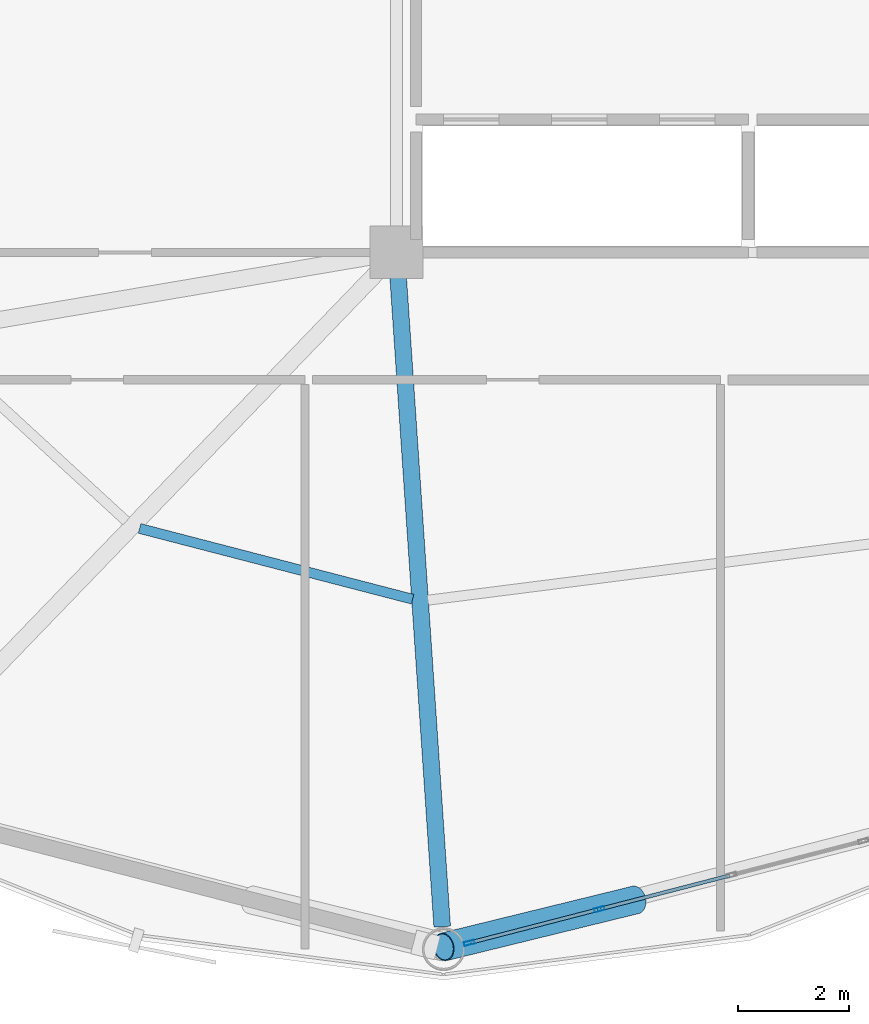
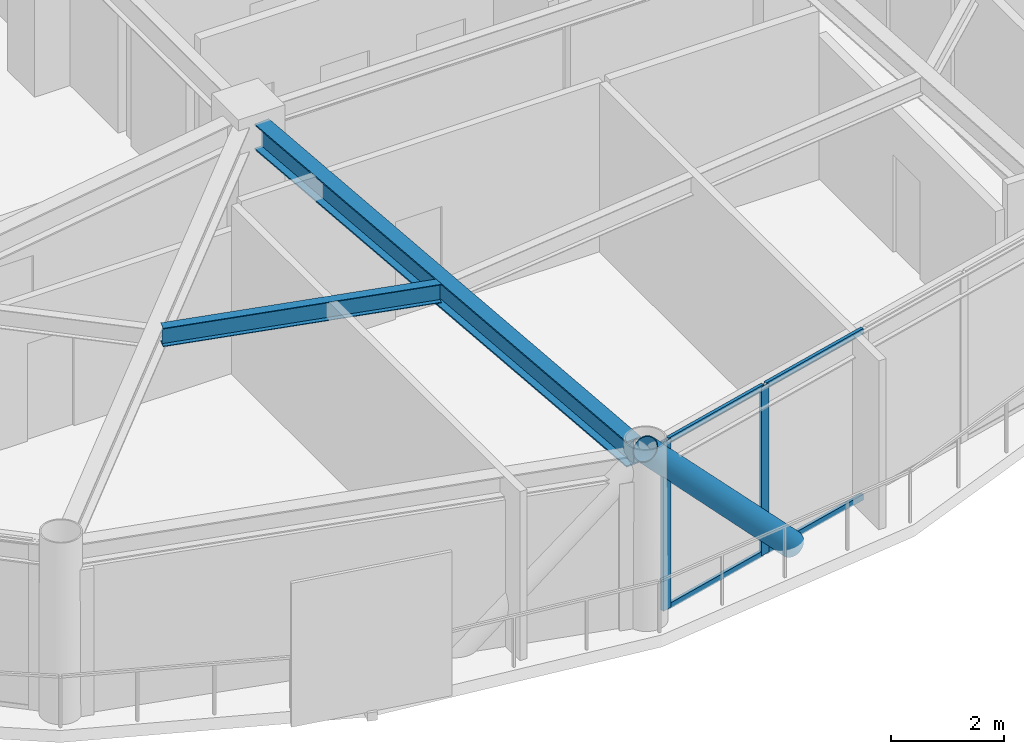
# One storey, part 7 of 27: 7 members, 2 beams, 1 element without a shape of its own.
"""IFC4 building model written with IfcOpenShell, lengths in metres."""

from ifc_helpers import new_model, si_unit, direction, frame, origin, origin_2d, place, context, subcontext, project, spatial, hollow_rectangle, hollow_circle, i_section, extrude, material, layer, layer_set, material_profile, profile_set, type_object, element, aggregate, save


model = new_model("IFC4")

# Units and contexts
model_context = context("Model", 3, precision=1e-05, world=origin(), true_north=direction((0.0, 1.0)))
body_context = subcontext(model_context, "Body", "Model", "MODEL_VIEW")
ifc_project = project(units=[si_unit("LENGTHUNIT", "METRE"), si_unit("AREAUNIT", "SQUARE_METRE"), si_unit("VOLUMEUNIT", "CUBIC_METRE"), si_unit("PLANEANGLEUNIT", "RADIAN"), si_unit("MASSUNIT", "GRAM", prefix="KILO")], contexts=[model_context])

# Site, building, storey
site_placement = place(None, origin())
site = spatial("IfcSite", under=ifc_project, at=site_placement, CompositionType="ELEMENT")
building_placement = place(site_placement, origin())
building = spatial("IfcBuilding", under=site, at=building_placement, Name="Varnakorn Sky Granary", CompositionType="ELEMENT")
storey_placement = place(building_placement, frame((0.0, 0.0, 142.199951171875)))
storey = spatial("IfcBuildingStorey", under=building, at=storey_placement, Name="L35", CompositionType="ELEMENT", Elevation=142.199951171875)

# Beams
ifc_material_1 = material(Name="Steel S355JR", Category="steel")
ifc_material_profile_1 = material_profile(ifc_material_1, i_section(OverallWidth=0.300048828125, OverallDepth=0.550048828125, WebThickness=0.014892578125, FlangeThickness=0.029052734375, at=origin_2d()), Name="HE 550 B")
ifc_profile_set_1 = profile_set([ifc_material_profile_1], Name="Steel S355JR")
beam_type_1 = type_object("IfcBeamType", Name="BM-RAD-Z3", PredefinedType="BEAM", material=ifc_profile_set_1)
beam_1_placement = place(storey_placement, frame((-2.321533203125, -7.01904296875, 3.364990234375), z_axis=(0.067633292557, -0.997710247385, 0.0), x_axis=(0.997710247385, 0.067633292557, 0.0)))
element("IfcBeam", 1, at=beam_1_placement, inside=storey, type_object=beam_type_1, Name="Radial Floor Girder RG10 L35", PredefinedType="BEAM", context=body_context, shape_type="SweptSolid", body=[
    extrude(i_section(OverallWidth=0.300048828125, OverallDepth=0.550048828125, WebThickness=0.014892578125, FlangeThickness=0.029052734375, at=origin_2d()), origin(), (0.0, 0.0, 1.0), 11.778564453125),
])
ifc_material_profile_2 = material_profile(ifc_material_1, i_section(OverallWidth=0.179931640625, OverallDepth=0.39990234375, WebThickness=0.008544921875, FlangeThickness=0.013427734375, at=origin_2d()), Name="IPE 400")
ifc_profile_set_2 = profile_set([ifc_material_profile_2], Name="Steel S355JR")
beam_type_2 = type_object("IfcBeamType", Name="BM-SEC-Z3", PredefinedType="BEAM", material=ifc_profile_set_2)
beam_2_placement = place(storey_placement, frame((-6.987060546875, -11.582275390625, 3.43994140625), z_axis=(0.968004663689, -0.250932204145, 0.0), x_axis=(0.250932204145, 0.968004663689, 0.0)))
element("IfcBeam", 2, at=beam_2_placement, inside=storey, type_object=beam_type_2, Name="Secondary Floor Chord Beam MSB09 L35", PredefinedType="BEAM", context=body_context, shape_type="SweptSolid", body=[
    extrude(i_section(OverallWidth=0.179931640625, OverallDepth=0.39990234375, WebThickness=0.008544921875, FlangeThickness=0.013427734375, at=origin_2d()), origin(), (0.0, 0.0, 1.0), 5.09130859375),
])

# Curtain wall, members
ifc_material_2 = material(Name="Anodised Bronze Aluminium Alloy 6063-T6", Category="aluminium")
ifc_layer = layer(ifc_material_2, 0.179931640625, Name="Anodised Bronze Aluminium Alloy 6063-T6")
ifc_layer_set = layer_set([ifc_layer], Name="Anodised Bronze Aluminium Alloy 6063-T6")
curtain_wall_type = type_object("IfcCurtainWallType", Name="CW-FRM-2", PredefinedType="USERDEFINED", material=ifc_layer_set)
curtain_wall_placement = place(storey_placement, origin())
curtain_wall = element("IfcCurtainWall", 3, at=curtain_wall_placement, inside=storey, type_object=curtain_wall_type, Name="Unitised Curtain Wall CW4 CW-L35-B10", ObjectType="CURTAIN WALL", PredefinedType="USERDEFINED")
ifc_material_profile_3 = material_profile(ifc_material_2, hollow_rectangle(XDim=0.070068359375, YDim=0.18505859375, WallThickness=0.00390625, at=origin_2d()), Name="ALU MULL 70x185")
ifc_profile_set_3 = profile_set([ifc_material_profile_3], Name="Anodised Bronze Aluminium Alloy 6063-T6")
member_type_1 = type_object("IfcMemberType", Name="CW-FRM-2-MULL", PredefinedType="MULLION", material=ifc_profile_set_3)
member_1_placement = place(storey_placement, frame((1.311279296875, -18.4560546875, 0.0), z_axis=(0.0, 0.0, 1.0), x_axis=(0.250348042267, -0.968155905696, 0.0)))
member_1 = element("IfcMember", 4, at=member_1_placement, type_object=member_type_1, Name="CW4 mullion 4", PredefinedType="MULLION", context=body_context, shape_type="SweptSolid", body=[
    extrude(hollow_rectangle(XDim=0.070068359375, YDim=0.18505859375, WallThickness=0.00390625, at=origin_2d()), origin(), (0.0, 0.0, 1.0), 3.64013671875),
])
member_2_placement = place(storey_placement, frame((-1.0390625, -19.063720703125, 0.0), z_axis=(0.0, 0.0, 1.0), x_axis=(0.250348042267, -0.968155905696, 0.0)))
member_2 = element("IfcMember", 5, at=member_2_placement, type_object=member_type_1, Name="CW4 mullion 5", PredefinedType="MULLION", context=body_context, shape_type="SweptSolid", body=[
    extrude(hollow_rectangle(XDim=0.070068359375, YDim=0.18505859375, WallThickness=0.00390625, at=origin_2d()), origin(), (0.0, 0.0, 1.0), 3.64013671875),
])
ifc_material_profile_4 = material_profile(ifc_material_2, hollow_rectangle(XDim=0.06494140625, YDim=0.1201171875, WallThickness=0.00341796875, at=origin_2d()), Name="ALU TRAN 65x120")
ifc_profile_set_4 = profile_set([ifc_material_profile_4], Name="Anodised Bronze Aluminium Alloy 6063-T6")
member_type_2 = type_object("IfcMemberType", Name="CW-FRM-2-TRAN", PredefinedType="USERDEFINED", material=ifc_profile_set_4)
member_3_placement = place(storey_placement, frame((3.66162109375, -17.848388671875, 0.032470703125), z_axis=(-0.968166526472, -0.250306965581, 0.0), x_axis=(0.250306965581, -0.968166526472, 0.0)))
member_3 = element("IfcMember", 6, at=member_3_placement, type_object=member_type_2, Name="CW4 transom 3.1", ObjectType="TRANSOM", PredefinedType="USERDEFINED", context=body_context, shape_type="SweptSolid", body=[
    extrude(hollow_rectangle(XDim=0.06494140625, YDim=0.1201171875, WallThickness=0.00341796875, at=origin_2d()), origin(), (0.0, 0.0, 1.0), 2.392578125),
])
member_4_placement = place(storey_placement, frame((3.66162109375, -17.848388671875, 3.607666015625), z_axis=(-0.968166526472, -0.250306965581, 0.0), x_axis=(0.250306965581, -0.968166526472, 0.0)))
member_4 = element("IfcMember", 7, at=member_4_placement, type_object=member_type_2, Name="CW4 transom 3.2", ObjectType="TRANSOM", PredefinedType="USERDEFINED", context=body_context, shape_type="SweptSolid", body=[
    extrude(hollow_rectangle(XDim=0.06494140625, YDim=0.1201171875, WallThickness=0.00341796875, at=origin_2d()), origin(), (0.0, 0.0, 1.0), 2.392578125),
])
member_5_placement = place(storey_placement, frame((1.27734375, -18.46484375, 0.032470703125), z_axis=(-0.96814301625, -0.250397883548, 0.0), x_axis=(0.250397883548, -0.96814301625, 0.0)))
member_5 = element("IfcMember", 8, at=member_5_placement, type_object=member_type_2, Name="CW4 transom 4.1", ObjectType="TRANSOM", PredefinedType="USERDEFINED", context=body_context, shape_type="SweptSolid", body=[
    extrude(hollow_rectangle(XDim=0.06494140625, YDim=0.1201171875, WallThickness=0.00341796875, at=origin_2d()), origin(), (0.0, 0.0, 1.0), 2.357666015625),
])
member_6_placement = place(storey_placement, frame((1.27734375, -18.46484375, 3.607666015625), z_axis=(-0.96814301625, -0.250397883548, 0.0), x_axis=(0.250397883548, -0.96814301625, 0.0)))
member_6 = element("IfcMember", 9, at=member_6_placement, type_object=member_type_2, Name="CW4 transom 4.2", ObjectType="TRANSOM", PredefinedType="USERDEFINED", context=body_context, shape_type="SweptSolid", body=[
    extrude(hollow_rectangle(XDim=0.06494140625, YDim=0.1201171875, WallThickness=0.00341796875, at=origin_2d()), origin(), (0.0, 0.0, 1.0), 2.357666015625),
])
aggregate(curtain_wall, [member_1, member_2, member_3, member_4, member_5, member_6])

# Member
ifc_material_3 = material(Name="Steel S460M", Category="steel")
ifc_material_profile_5 = material_profile(ifc_material_3, hollow_circle(Radius=0.25390625, WallThickness=0.01806640625, at=origin_2d()), Name="CHS 508x18")
ifc_profile_set_5 = profile_set([ifc_material_profile_5], Name="Steel S460M")
member_type_3 = type_object("IfcMemberType", Name="MB-DIAG-T2", PredefinedType="BRACE", material=ifc_profile_set_5)
member_7_placement = place(storey_placement, frame((1.963623046875, -18.287353515625, -0.1298828125), z_axis=(-0.667441449246, -0.163531858573, 0.726484165733), x_axis=(0.237974178406, -0.971271481313, 0.0)))
element("IfcMember", 10, at=member_7_placement, inside=storey, type_object=member_type_3, Name="Perimeter CHS Diagrid Brace DG10 L35", PredefinedType="BRACE", context=body_context, shape_type="SweptSolid", body=[
    extrude(hollow_circle(Radius=0.25390625, WallThickness=0.01806640625, at=origin_2d()), origin(), (0.0, 0.0, 1.0), 5.189453125),
])

save(model, "model.ifc")
